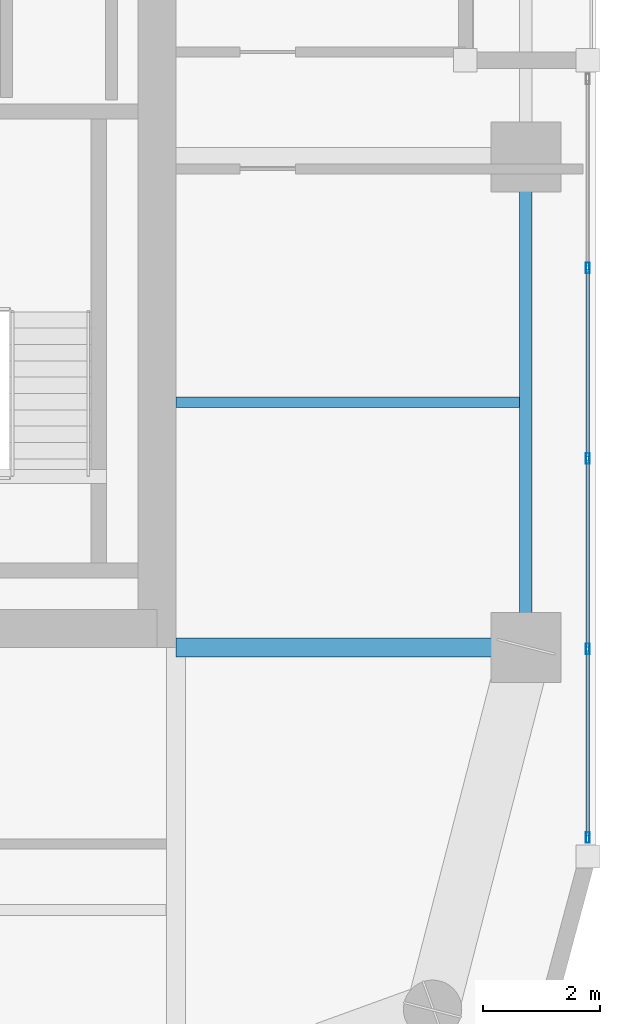
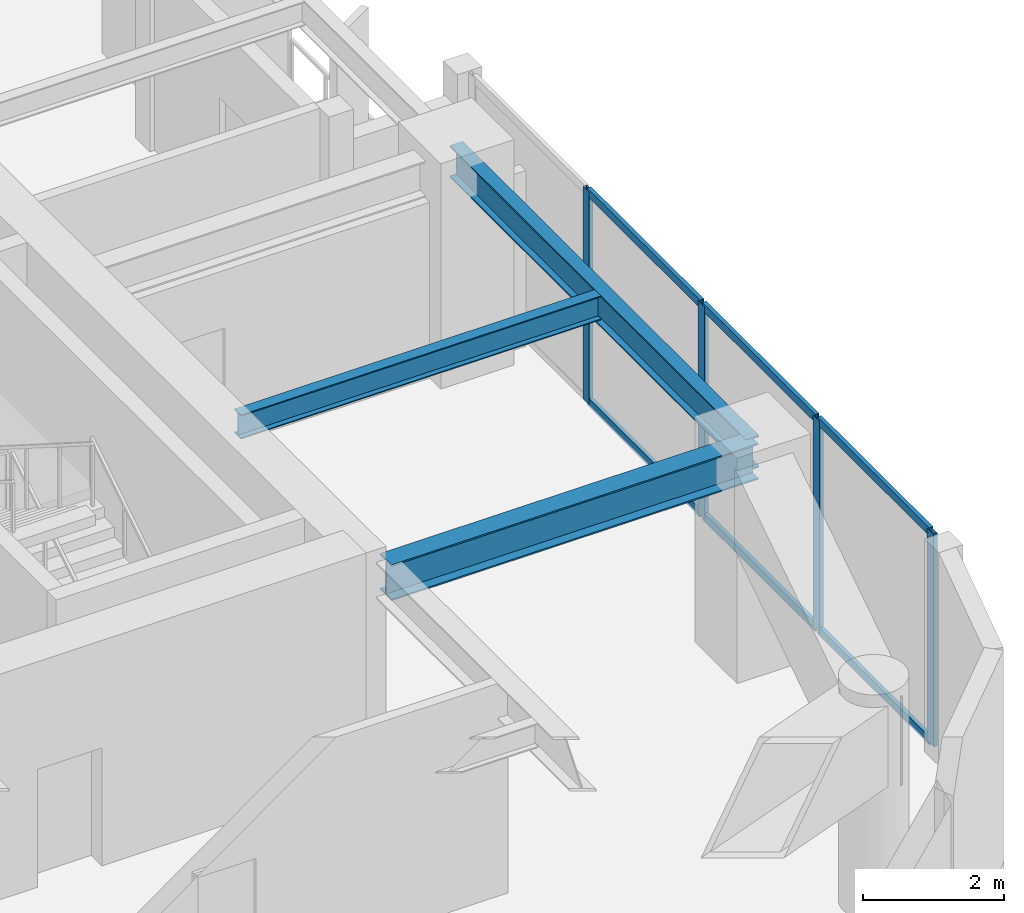
# One storey, part 9 of 30: 10 members, 3 beams, 1 element without a shape of its own.
"""IFC4 building model written with IfcOpenShell, lengths in metres."""

from ifc_helpers import new_model, si_unit, direction, frame, origin, origin_2d, place, context, subcontext, project, spatial, hollow_rectangle, i_section, extrude, material, layer, layer_set, material_profile, profile_set, type_object, element, aggregate, save


model = new_model("IFC4")

# Units and contexts
model_context = context("Model", 3, precision=1e-05, world=origin(), true_north=direction((0.0, 1.0)))
body_context = subcontext(model_context, "Body", "Model", "MODEL_VIEW")
ifc_project = project(units=[si_unit("LENGTHUNIT", "METRE"), si_unit("AREAUNIT", "SQUARE_METRE"), si_unit("VOLUMEUNIT", "CUBIC_METRE"), si_unit("PLANEANGLEUNIT", "RADIAN"), si_unit("MASSUNIT", "GRAM", prefix="KILO")], contexts=[model_context])

# Site, building, storey
site_placement = place(None, origin())
site = spatial("IfcSite", under=ifc_project, at=site_placement, CompositionType="ELEMENT")
building_placement = place(site_placement, origin())
building = spatial("IfcBuilding", under=site, at=building_placement, Name="Kiyonajd Concourse Tower", CompositionType="ELEMENT")
storey_placement = place(building_placement, frame((0.0, 0.0, 198.0)))
storey = spatial("IfcBuildingStorey", under=building, at=storey_placement, Name="L50", CompositionType="ELEMENT", Elevation=198.0)

# Beams
ifc_material_1 = material(Name="Steel ASTM A992 Grade 50", Category="steel")
ifc_material_profile_1 = material_profile(ifc_material_1, i_section(OverallWidth=0.180908203125, OverallDepth=0.4169921875, WebThickness=0.010986328125, FlangeThickness=0.018310546875, at=origin_2d()), Name="W410X85")
ifc_profile_set_1 = profile_set([ifc_material_profile_1], Name="Steel ASTM A992 Grade 50")
beam_type_1 = type_object("IfcBeamType", Name="BM-JST-410", PredefinedType="JOIST", material=ifc_profile_set_1)
beam_1_placement = place(storey_placement, frame((63.60009765625, 31.800048828125, 3.471435546875), z_axis=(1.0, 0.0, 0.0), x_axis=(0.0, 1.0, 0.0)))
element("IfcBeam", 1, at=beam_1_placement, inside=storey, type_object=beam_type_1, Name="L50 East Secondary Floor Joist", PredefinedType="JOIST", context=body_context, shape_type="SweptSolid", body=[
    extrude(i_section(OverallWidth=0.180908203125, OverallDepth=0.4169921875, WebThickness=0.010986328125, FlangeThickness=0.018310546875, at=origin_2d()), origin(), (0.0, 0.0, 1.0), 5.892822265625),
])
ifc_material_profile_2 = material_profile(ifc_material_1, i_section(OverallWidth=0.214111328125, OverallDepth=0.549072265625, WebThickness=0.0146484375, FlangeThickness=0.023681640625, at=origin_2d()), Name="W530X138")
ifc_profile_set_2 = profile_set([ifc_material_profile_2], Name="Steel ASTM A992 Grade 50")
beam_type_2 = type_object("IfcBeamType", Name="BM-SPAN-530A", PredefinedType="SPANDREL", material=ifc_profile_set_2)
beam_2_placement = place(storey_placement, frame((69.60009765625, 27.60009765625, 3.405517578125), z_axis=(0.0, 1.0, 0.0), x_axis=(-1.0, 0.0, 0.0)))
element("IfcBeam", 2, at=beam_2_placement, inside=storey, type_object=beam_type_2, Name="L50 Perimeter Bundled Tube Spandrel", PredefinedType="SPANDREL", context=body_context, shape_type="SweptSolid", body=[
    extrude(i_section(OverallWidth=0.214111328125, OverallDepth=0.549072265625, WebThickness=0.0146484375, FlangeThickness=0.023681640625, at=origin_2d()), origin(), (0.0, 0.0, 1.0), 8.39990234375),
])
ifc_material_profile_3 = material_profile(ifc_material_1, i_section(OverallWidth=0.326904296875, OverallDepth=0.6220703125, WebThickness=0.015380859375, FlangeThickness=0.0244140625, at=origin_2d()), Name="W610X195")
ifc_profile_set_3 = profile_set([ifc_material_profile_3], Name="Steel ASTM A992 Grade 50")
beam_type_3 = type_object("IfcBeamType", Name="BM-TWR-610A", PredefinedType="BEAM", material=ifc_profile_set_3)
beam_3_placement = place(storey_placement, frame((63.60009765625, 27.60009765625, 3.368896484375), z_axis=(1.0, 0.0, 0.0), x_axis=(0.0, 1.0, 0.0)))
element("IfcBeam", 3, at=beam_3_placement, inside=storey, type_object=beam_type_3, Name="L50 East Lease Girder", PredefinedType="BEAM", context=body_context, shape_type="SweptSolid", body=[
    extrude(i_section(OverallWidth=0.326904296875, OverallDepth=0.6220703125, WebThickness=0.015380859375, FlangeThickness=0.0244140625, at=origin_2d()), origin(), (0.0, 0.0, 1.0), 6.0),
])

# Curtain wall, members
ifc_material_2 = material(Name="Thermally Broken Anodised Aluminium", Category="aluminium")
ifc_layer = layer(ifc_material_2, 0.179931640625)
ifc_layer_set = layer_set([ifc_layer], Name="Thermally Broken Anodised Aluminium")
curtain_wall_type = type_object("IfcCurtainWallType", Name="CW-SYS-03", PredefinedType="NOTDEFINED", material=ifc_layer_set)
curtain_wall_placement = place(storey_placement, origin())
curtain_wall = element("IfcCurtainWall", 4, at=curtain_wall_placement, inside=storey, type_object=curtain_wall_type, Name="L50 Unitised Curtain Wall CW3", PredefinedType="NOTDEFINED")
ifc_material_profile_4 = material_profile(ifc_material_2, hollow_rectangle(XDim=0.06494140625, YDim=0.179931640625, WallThickness=0.00390625, at=origin_2d()), Name="MULL-65x180")
ifc_profile_set_4 = profile_set([ifc_material_profile_4], Name="Thermally Broken Anodised Aluminium")
member_type_1 = type_object("IfcMemberType", Name="MB-CW-MULL1", PredefinedType="MULLION", material=ifc_profile_set_4)
member_1_placement = place(storey_placement, frame((70.659912109375, 34.1044921875, 0.0), z_axis=(0.0, 0.0, 1.0), x_axis=(1.0, 0.0, 0.0)))
member_1 = element("IfcMember", 5, at=member_1_placement, type_object=member_type_1, Name="CW3 mullion 2", PredefinedType="MULLION", context=body_context, shape_type="SweptSolid", body=[
    extrude(hollow_rectangle(XDim=0.06494140625, YDim=0.179931640625, WallThickness=0.00390625, at=origin_2d()), origin(), (0.0, 0.0, 1.0), 3.679931640625),
])
member_2_placement = place(storey_placement, frame((70.659912109375, 30.839111328125, 0.0), z_axis=(0.0, 0.0, 1.0), x_axis=(1.0, 0.0, 0.0)))
member_2 = element("IfcMember", 6, at=member_2_placement, type_object=member_type_1, Name="CW3 mullion 3", PredefinedType="MULLION", context=body_context, shape_type="SweptSolid", body=[
    extrude(hollow_rectangle(XDim=0.06494140625, YDim=0.179931640625, WallThickness=0.00390625, at=origin_2d()), origin(), (0.0, 0.0, 1.0), 3.679931640625),
])
member_3_placement = place(storey_placement, frame((70.659912109375, 27.57373046875, 0.0), z_axis=(0.0, 0.0, 1.0), x_axis=(1.0, 0.0, 0.0)))
member_3 = element("IfcMember", 7, at=member_3_placement, type_object=member_type_1, Name="CW3 mullion 4", PredefinedType="MULLION", context=body_context, shape_type="SweptSolid", body=[
    extrude(hollow_rectangle(XDim=0.06494140625, YDim=0.179931640625, WallThickness=0.00390625, at=origin_2d()), origin(), (0.0, 0.0, 1.0), 3.679931640625),
])
member_4_placement = place(storey_placement, frame((70.659912109375, 24.3408203125, 0.0), z_axis=(0.0, 0.0, 1.0), x_axis=(1.0, 0.0, 0.0)))
member_4 = element("IfcMember", 8, at=member_4_placement, type_object=member_type_1, Name="CW3 mullion 5", PredefinedType="MULLION", context=body_context, shape_type="SweptSolid", body=[
    extrude(hollow_rectangle(XDim=0.06494140625, YDim=0.179931640625, WallThickness=0.00390625, at=origin_2d()), origin(), (0.0, 0.0, 1.0), 3.679931640625),
])
ifc_material_profile_5 = material_profile(ifc_material_2, hollow_rectangle(XDim=0.06494140625, YDim=0.139892578125, WallThickness=0.00390625, at=origin_2d()), Name="TRAN-65x140")
ifc_profile_set_5 = profile_set([ifc_material_profile_5], Name="Thermally Broken Anodised Aluminium")
member_type_2 = type_object("IfcMemberType", Name="MB-CW-TRAN1", PredefinedType="USERDEFINED", material=ifc_profile_set_5)
member_5_placement = place(storey_placement, frame((70.659912109375, 34.072021484375, 0.032470703125), z_axis=(0.0, -1.0, 0.0), x_axis=(1.0, 0.0, 0.0)))
member_5 = element("IfcMember", 9, at=member_5_placement, type_object=member_type_2, Name="CW3 transom 2.1", ObjectType="TRANSOM", PredefinedType="USERDEFINED", context=body_context, shape_type="SweptSolid", body=[
    extrude(hollow_rectangle(XDim=0.06494140625, YDim=0.139892578125, WallThickness=0.00390625, at=origin_2d()), origin(), (0.0, 0.0, 1.0), 3.200439453125),
])
member_6_placement = place(storey_placement, frame((70.659912109375, 34.072021484375, 3.6474609375), z_axis=(0.0, -1.0, 0.0), x_axis=(1.0, 0.0, 0.0)))
member_6 = element("IfcMember", 10, at=member_6_placement, type_object=member_type_2, Name="CW3 transom 2.2", ObjectType="TRANSOM", PredefinedType="USERDEFINED", context=body_context, shape_type="SweptSolid", body=[
    extrude(hollow_rectangle(XDim=0.06494140625, YDim=0.139892578125, WallThickness=0.00390625, at=origin_2d()), origin(), (0.0, 0.0, 1.0), 3.200439453125),
])
member_7_placement = place(storey_placement, frame((70.659912109375, 30.806640625, 0.032470703125), z_axis=(0.0, -1.0, 0.0), x_axis=(1.0, 0.0, 0.0)))
member_7 = element("IfcMember", 11, at=member_7_placement, type_object=member_type_2, Name="CW3 transom 3.1", ObjectType="TRANSOM", PredefinedType="USERDEFINED", context=body_context, shape_type="SweptSolid", body=[
    extrude(hollow_rectangle(XDim=0.06494140625, YDim=0.139892578125, WallThickness=0.00390625, at=origin_2d()), origin(), (0.0, 0.0, 1.0), 3.200439453125),
])
member_8_placement = place(storey_placement, frame((70.659912109375, 30.806640625, 3.6474609375), z_axis=(0.0, -1.0, 0.0), x_axis=(1.0, 0.0, 0.0)))
member_8 = element("IfcMember", 12, at=member_8_placement, type_object=member_type_2, Name="CW3 transom 3.2", ObjectType="TRANSOM", PredefinedType="USERDEFINED", context=body_context, shape_type="SweptSolid", body=[
    extrude(hollow_rectangle(XDim=0.06494140625, YDim=0.139892578125, WallThickness=0.00390625, at=origin_2d()), origin(), (0.0, 0.0, 1.0), 3.200439453125),
])
member_9_placement = place(storey_placement, frame((70.659912109375, 27.541259765625, 0.032470703125), z_axis=(0.0, -1.0, 0.0), x_axis=(1.0, 0.0, 0.0)))
member_9 = element("IfcMember", 13, at=member_9_placement, type_object=member_type_2, Name="CW3 transom 4.1", ObjectType="TRANSOM", PredefinedType="USERDEFINED", context=body_context, shape_type="SweptSolid", body=[
    extrude(hollow_rectangle(XDim=0.06494140625, YDim=0.139892578125, WallThickness=0.00390625, at=origin_2d()), origin(), (0.0, 0.0, 1.0), 3.16796875),
])
member_10_placement = place(storey_placement, frame((70.659912109375, 27.541259765625, 3.6474609375), z_axis=(0.0, -1.0, 0.0), x_axis=(1.0, 0.0, 0.0)))
member_10 = element("IfcMember", 14, at=member_10_placement, type_object=member_type_2, Name="CW3 transom 4.2", ObjectType="TRANSOM", PredefinedType="USERDEFINED", context=body_context, shape_type="SweptSolid", body=[
    extrude(hollow_rectangle(XDim=0.06494140625, YDim=0.139892578125, WallThickness=0.00390625, at=origin_2d()), origin(), (0.0, 0.0, 1.0), 3.16796875),
])
aggregate(curtain_wall, [member_1, member_2, member_3, member_4, member_5, member_6, member_7, member_8, member_9, member_10])

save(model, "model.ifc")
